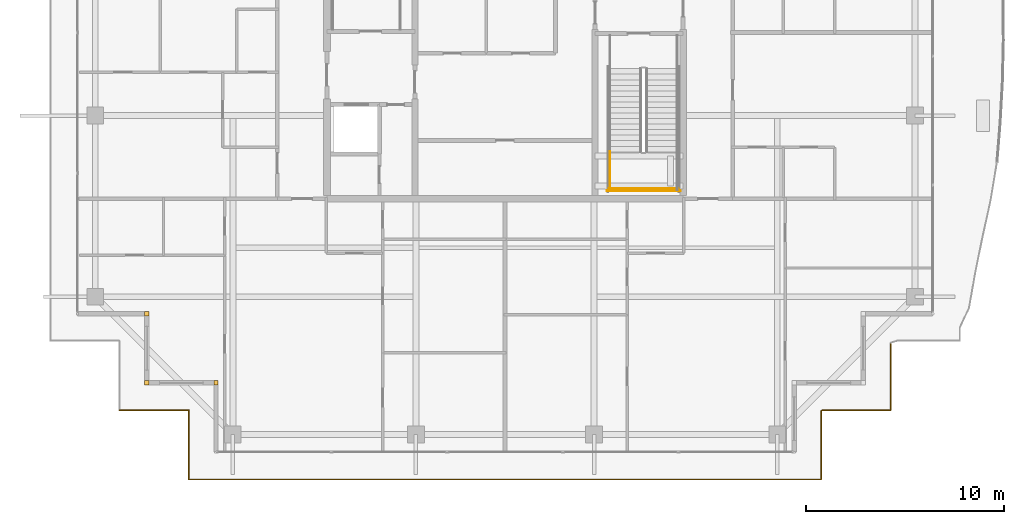
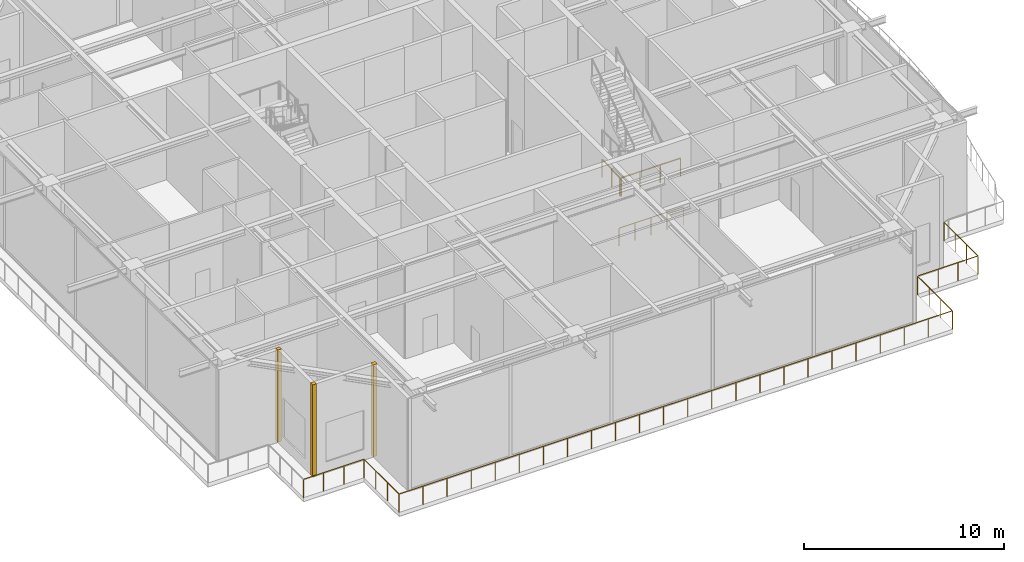
# One storey, part 34 of 40: 4 railings, 3 coverings.
"""IFC4 building model written with IfcOpenShell, lengths in metres."""

import ifcopenshell
import ifcopenshell.guid

model = None  # the IFC model being written
_history = None  # IfcOwnerHistory: only IFC2X3 demands one
_inside = {}  # id of a spatial element -> (the spatial element, [elements in it])
_under = {}  # id of a project, library or spatial element -> (it, [spatial elements below it])
_declared = {}  # id of a project -> (the project, [libraries it declares])
_typed = {}  # id of a type object -> (the type object, [elements of that type])
_made_of = {}  # id of a material, layer set ... -> (it, [elements and type objects made of it])


def new_model(schema):
    """Start an empty IFC model of exactly this schema.

    Asked for "IFC4X3", IfcOpenShell would pick the latest addendum, in which some entities
    have other attributes; the version numbers below select the first issue.
    IFC2X3 requires an IfcOwnerHistory on every rooted entity: one is made here for all.
    """
    global model, _history
    if schema == "IFC4X3":
        model = ifcopenshell.file(schema_version=(4, 3, 0, 0))
    else:
        model = ifcopenshell.file(schema=schema)
    _inside.clear()
    _under.clear()
    _declared.clear()
    _typed.clear()
    _made_of.clear()
    _history = None
    if model.schema == "IFC2X3":
        org = make("IfcOrganization", Name="unknown")
        user = make(
            "IfcPersonAndOrganization",
            ThePerson=make("IfcPerson", FamilyName="unknown"),
            TheOrganization=org,
        )
        app = make(
            "IfcApplication",
            ApplicationDeveloper=org,
            Version="unknown",
            ApplicationFullName="unknown",
            ApplicationIdentifier="unknown",
        )
        _history = make(
            "IfcOwnerHistory",
            OwningUser=user,
            OwningApplication=app,
            ChangeAction="ADDED",
            CreationDate=0,
        )
    return model


def make(cls, **values):
    """One entity of the class cls with the attributes given. An attribute that is None is left unset."""
    return model.create_entity(
        cls, **{name: value for name, value in values.items() if value is not None}
    )


def rooted(cls, **values):
    """An entity with a GlobalId (a new one), such as an element, a storey or a relation."""
    return make(cls, GlobalId=ifcopenshell.guid.new(), OwnerHistory=_history, **values)


def si_unit(unit_type, name, prefix=None):
    """IfcSIUnit, for example si_unit("LENGTHUNIT", "METRE", prefix="MILLI")."""
    return make("IfcSIUnit", UnitType=unit_type, Prefix=prefix, Name=name)


def assignment(units):
    """IfcUnitAssignment: the units of a project."""
    return None if units is None else make("IfcUnitAssignment", Units=units)


def point(xyz):
    """IfcCartesianPoint."""
    return None if xyz is None else make("IfcCartesianPoint", Coordinates=xyz)


def direction(xyz):
    """IfcDirection."""
    return None if xyz is None else make("IfcDirection", DirectionRatios=xyz)


def frame(location, z_axis=None, x_axis=None):
    """IfcAxis2Placement3D, a coordinate frame: its origin and axes. An axis left out is left unset."""
    return make(
        "IfcAxis2Placement3D",
        Location=point(location),
        Axis=direction(z_axis),
        RefDirection=direction(x_axis),
    )


def frame_2d(location, x_axis=None):
    """IfcAxis2Placement2D, a coordinate frame in the plane: its origin and x axis."""
    return make(
        "IfcAxis2Placement2D", Location=point(location), RefDirection=direction(x_axis)
    )


def origin():
    """The frame at (0, 0, 0) with its axes left unset."""
    return frame((0.0, 0.0, 0.0))


def origin_2d():
    """The frame at (0, 0) in the plane with its x axis left unset."""
    return frame_2d((0.0, 0.0))


def place(relative_to, where):
    """IfcLocalPlacement: puts the frame where relative to a parent placement (None: the world)."""
    return make(
        "IfcLocalPlacement", PlacementRelTo=relative_to, RelativePlacement=where
    )


def context(
    kind, dimensions, precision=None, world=None, true_north=None, identifier=None
):
    """IfcGeometricRepresentationContext, for example the 3D "Model" context."""
    return make(
        "IfcGeometricRepresentationContext",
        ContextIdentifier=identifier,
        ContextType=kind,
        CoordinateSpaceDimension=dimensions,
        Precision=precision,
        WorldCoordinateSystem=world,
        TrueNorth=true_north,
    )


def subcontext(parent, identifier, kind, view, scale=None):
    """IfcGeometricRepresentationSubContext, for example "Body" below "Model"."""
    return make(
        "IfcGeometricRepresentationSubContext",
        ContextIdentifier=identifier,
        ContextType=kind,
        ParentContext=parent,
        TargetScale=scale,
        TargetView=view,
    )


def project(units=None, contexts=None):
    """IfcProject with its units and contexts."""
    return rooted(
        "IfcProject",
        Name="project",
        RepresentationContexts=contexts,
        UnitsInContext=assignment(units),
    )


def spatial(cls, under=None, at=None, **own):
    """A site, building, storey or space (cls), placed at a placement, below another one or the project."""
    s = rooted(cls, ObjectPlacement=at, **own)
    if under is not None:
        _under.setdefault(under.id(), (under, []))[1].append(s)
    return s


def profile(cls, at=None, kind="AREA", **sizes):
    """A parametric profile (cls). Its sizes go by their IFC names, for example OverallWidth=200.0."""
    return make(cls, ProfileType=kind, Position=at, **sizes)


def rectangle(**sizes):
    """IfcRectangleProfileDef."""
    return profile("IfcRectangleProfileDef", **sizes)


def circle(**sizes):
    """IfcCircleProfileDef."""
    return profile("IfcCircleProfileDef", **sizes)


def extrude(swept, where, along, depth):
    """IfcExtrudedAreaSolid: the profile swept, set in the frame where, extruded along a direction by depth."""
    return make(
        "IfcExtrudedAreaSolid",
        SweptArea=swept,
        Position=where,
        ExtrudedDirection=direction(along),
        Depth=depth,
    )


def shape(context_of_items, identifier, shape_type, items):
    """IfcShapeRepresentation: the items that make up one representation, for example the "Body"."""
    return make(
        "IfcShapeRepresentation",
        ContextOfItems=context_of_items,
        RepresentationIdentifier=identifier,
        RepresentationType=shape_type,
        Items=items,
    )


def source(mapping_origin, context_of_items, identifier, shape_type, items):
    """IfcRepresentationMap: a shape defined once, which mapped items show again and again."""
    return make(
        "IfcRepresentationMap",
        MappingOrigin=mapping_origin,
        MappedRepresentation=shape(context_of_items, identifier, shape_type, items),
    )


def transform(
    local_origin,
    x_axis=None,
    y_axis=None,
    z_axis=None,
    scale=None,
    scale2=None,
    scale3=None,
    uniform=True,
):
    """IfcCartesianTransformationOperator3D, or its non-uniform kind. x_axis, y_axis, z_axis: its Axis1, 2, 3."""
    if uniform:
        return make(
            "IfcCartesianTransformationOperator3D",
            Axis1=direction(x_axis),
            Axis2=direction(y_axis),
            LocalOrigin=point(local_origin),
            Scale=scale,
            Axis3=direction(z_axis),
        )
    return make(
        "IfcCartesianTransformationOperator3DnonUniform",
        Axis1=direction(x_axis),
        Axis2=direction(y_axis),
        LocalOrigin=point(local_origin),
        Scale=scale,
        Axis3=direction(z_axis),
        Scale2=scale2,
        Scale3=scale3,
    )


def mapped(mapping_source, mapping_target):
    """IfcMappedItem: shows the shape of a source again, moved by a transform."""
    return make(
        "IfcMappedItem", MappingSource=mapping_source, MappingTarget=mapping_target
    )


def material(Name=None, Category=None):
    """IfcMaterial."""
    return make("IfcMaterial", Name=Name, Category=Category)


def layer(
    of_material, thickness, ventilated=None, Name=None, Category=None, Priority=None
):
    """IfcMaterialLayer: one layer of a wall or slab, of a material (None: an air gap)."""
    return make(
        "IfcMaterialLayer",
        Material=of_material,
        LayerThickness=thickness,
        IsVentilated=ventilated,
        Name=Name,
        Category=Category,
        Priority=Priority,
    )


def layer_set(layers, Name=None):
    """IfcMaterialLayerSet."""
    return make("IfcMaterialLayerSet", MaterialLayers=layers, LayerSetName=Name)


def made_of(thing, what):
    """Note that an element or type object is made of a material, layer set ...; save() writes the relation."""
    if what is not None:
        _made_of.setdefault(what.id(), (what, []))[1].append(thing)
    return thing


def type_object(cls, material=None, **own):
    """A type object (cls), such as IfcWallType, which elements share."""
    return made_of(rooted(cls, **own), material)


def element(
    cls,
    number,
    at=None,
    inside=None,
    cuts=None,
    type_object=None,
    material=None,
    context=None,
    identifier="Body",
    shape_type=None,
    held_by="IfcProductDefinitionShape",
    body=None,
    shapes=None,
    **own,
):
    """One element of the class cls, such as IfcWall. Its Tag is "e" and its number.

    at: its placement. inside: the storey or other place that contains it. cuts: it is an
    opening in that element (IfcRelVoidsElement). A single representation is given by context,
    identifier, shape_type and body (its items); several are given by shapes. held_by: the class
    of the entity that holds the representations. save() writes the other relations.
    """
    e = rooted(cls, Tag="e%d" % number, ObjectPlacement=at, **own)
    if body is not None:
        shapes = [shape(context, identifier, shape_type, body)]
    if shapes is not None:
        e.Representation = make(held_by, Representations=shapes)
    if inside is not None:
        _inside.setdefault(inside.id(), (inside, []))[1].append(e)
    if cuts is not None:
        rooted(
            "IfcRelVoidsElement", RelatingBuildingElement=cuts, RelatedOpeningElement=e
        )
    if type_object is not None:
        _typed.setdefault(type_object.id(), (type_object, []))[1].append(e)
    return made_of(e, material)


def aggregate(whole, parts):
    """IfcRelAggregates: a whole, such as a stair, and the parts it consists of."""
    return rooted("IfcRelAggregates", RelatingObject=whole, RelatedObjects=parts)


def save(model, path):
    """Write the relations noted so far, then the file.

    IfcRelAggregates (storeys below a building ...), IfcRelContainedInSpatialStructure (elements
    in a storey), IfcRelDefinesByType, IfcRelAssociatesMaterial and IfcRelDeclares: one each for
    every whole, place, type object, material and project.
    """
    for whole, parts in _under.values():
        aggregate(whole, parts)
    for where, things in _inside.values():
        rooted(
            "IfcRelContainedInSpatialStructure",
            RelatedElements=things,
            RelatingStructure=where,
        )
    for kind, things in _typed.values():
        rooted("IfcRelDefinesByType", RelatedObjects=things, RelatingType=kind)
    for what, things in _made_of.values():
        rooted("IfcRelAssociatesMaterial", RelatedObjects=things, RelatingMaterial=what)
    for by, libraries in _declared.values():
        rooted("IfcRelDeclares", RelatingContext=by, RelatedDefinitions=libraries)
    model.write(path)


model = new_model("IFC4")

# Units and contexts
model_context = context("Model", 3, precision=1e-05, world=origin(), true_north=direction((0.0, 1.0)))
body_context = subcontext(model_context, "Body", "Model", "MODEL_VIEW")
ifc_project = project(units=[si_unit("LENGTHUNIT", "METRE"), si_unit("AREAUNIT", "SQUARE_METRE"), si_unit("VOLUMEUNIT", "CUBIC_METRE"), si_unit("PLANEANGLEUNIT", "RADIAN"), si_unit("MASSUNIT", "GRAM", prefix="KILO")], contexts=[model_context])

# Site, building, storey
site_placement = place(None, origin())
site = spatial("IfcSite", under=ifc_project, at=site_placement, CompositionType="ELEMENT")
building_placement = place(site_placement, origin())
building = spatial("IfcBuilding", under=site, at=building_placement, Name="Serunith Strait Residences", CompositionType="ELEMENT")
storey_placement = place(building_placement, frame((0.0, 0.0, 347.949951171875)))
storey = spatial("IfcBuildingStorey", under=building, at=storey_placement, Name="L86", CompositionType="ELEMENT", Elevation=347.949951171875)

# Railings
ifc_material_1 = material(Name="Stainless Steel & Laminated Glass Balustrade", Category="steel")
railing_type_1 = type_object("IfcRailingType", Name="RLG-BALC-1150", PredefinedType="BALUSTRADE", material=ifc_material_1)
railing_1_placement = place(storey_placement, frame((51.8798828125, 9.521484375, -0.050048828125)))
element("IfcRailing", 1, at=railing_1_placement, inside=storey, type_object=railing_type_1, Name="L86 Swirling Balcony Perimeter Balustrade 7", PredefinedType="BALUSTRADE", context=body_context, shape_type="SweptSolid", body=[
    extrude(circle(Radius=0.02392578125, at=origin_2d()), frame((0.0, -0.001953125, 1.1259765625), z_axis=(0.0, -1.0, 0.0), x_axis=(1.0, 0.0, 0.0)), (0.0, 0.0, 1.0), 3.3974609375),
    extrude(circle(Radius=0.02392578125, at=origin_2d()), frame((-0.001953125, -3.4013671875, 1.1259765625), z_axis=(-1.0, 0.0, 0.0), x_axis=(0.0, -1.0, 0.0)), (0.0, 0.0, 1.0), 3.44384765625),
    extrude(circle(Radius=0.02392578125, at=origin_2d()), frame((-3.5, -3.4306640625, 1.1259765625), z_axis=(0.0, -1.0, 0.0), x_axis=(1.0, 0.0, 0.0)), (0.0, 0.0, 1.0), 3.46875),
    extrude(circle(Radius=0.02392578125, at=origin_2d()), frame((-3.501953125, -6.9013671875, 1.1259765625), z_axis=(-1.0, 0.0, 0.0), x_axis=(0.0, -1.0, 0.0)), (0.0, 0.0, 1.0), 31.9560546875),
    extrude(circle(Radius=0.02392578125, at=origin_2d()), frame((-35.4599609375, -6.8994140625, 1.1259765625), z_axis=(0.0, 1.0, 0.0), x_axis=(-1.0, 0.0, 0.0)), (0.0, 0.0, 1.0), 3.49609375),
    extrude(circle(Radius=0.02392578125, at=origin_2d()), frame((-35.4619140625, -3.4013671875, 1.1259765625), z_axis=(-1.0, 0.0, 0.0), x_axis=(0.0, -1.0, 0.0)), (0.0, 0.0, 1.0), 3.49609375),
    extrude(circle(Radius=0.02099609375, at=origin_2d()), origin(), (0.0, 0.0, 1.0), 1.099853515625),
    extrude(circle(Radius=0.02099609375, at=origin_2d()), frame((0.0, -1.1337890625, 0.0)), (0.0, 0.0, 1.0), 1.099853515625),
    extrude(circle(Radius=0.02099609375, at=origin_2d()), frame((0.0, -2.267578125, 0.0)), (0.0, 0.0, 1.0), 1.099853515625),
    extrude(circle(Radius=0.02099609375, at=origin_2d()), frame((0.0, -3.4013671875, 0.0)), (0.0, 0.0, 1.0), 1.099853515625),
    extrude(circle(Radius=0.02099609375, at=origin_2d()), frame((-1.149169921875, -3.4013671875, 0.0)), (0.0, 0.0, 1.0), 1.099853515625),
    extrude(circle(Radius=0.02099609375, at=origin_2d()), frame((-2.298583984375, -3.4013671875, 0.0)), (0.0, 0.0, 1.0), 1.099853515625),
    extrude(circle(Radius=0.02099609375, at=origin_2d()), frame((-3.5, -3.4287109375, 0.0)), (0.0, 0.0, 1.0), 1.099853515625),
    extrude(circle(Radius=0.02099609375, at=origin_2d()), frame((-3.5, -4.586181640625, 0.0)), (0.0, 0.0, 1.0), 1.099853515625),
    extrude(circle(Radius=0.02099609375, at=origin_2d()), frame((-3.5, -5.743896484375, 0.0)), (0.0, 0.0, 1.0), 1.099853515625),
    extrude(circle(Radius=0.02099609375, at=origin_2d()), frame((-3.5, -6.9013671875, 0.0)), (0.0, 0.0, 1.0), 1.099853515625),
    extrude(circle(Radius=0.02099609375, at=origin_2d()), frame((-4.8896484375, -6.9013671875, 0.0)), (0.0, 0.0, 1.0), 1.099853515625),
    extrude(circle(Radius=0.02099609375, at=origin_2d()), frame((-6.279052734375, -6.9013671875, 0.0)), (0.0, 0.0, 1.0), 1.099853515625),
    extrude(circle(Radius=0.02099609375, at=origin_2d()), frame((-7.668701171875, -6.9013671875, 0.0)), (0.0, 0.0, 1.0), 1.099853515625),
    extrude(circle(Radius=0.02099609375, at=origin_2d()), frame((-9.058349609375, -6.9013671875, 0.0)), (0.0, 0.0, 1.0), 1.099853515625),
    extrude(circle(Radius=0.02099609375, at=origin_2d()), frame((-10.44775390625, -6.9013671875, 0.0)), (0.0, 0.0, 1.0), 1.099853515625),
    extrude(circle(Radius=0.02099609375, at=origin_2d()), frame((-11.83740234375, -6.9013671875, 0.0)), (0.0, 0.0, 1.0), 1.099853515625),
    extrude(circle(Radius=0.02099609375, at=origin_2d()), frame((-13.22705078125, -6.9013671875, 0.0)), (0.0, 0.0, 1.0), 1.099853515625),
    extrude(circle(Radius=0.02099609375, at=origin_2d()), frame((-14.616455078125, -6.9013671875, 0.0)), (0.0, 0.0, 1.0), 1.099853515625),
    extrude(circle(Radius=0.02099609375, at=origin_2d()), frame((-16.006103515625, -6.9013671875, 0.0)), (0.0, 0.0, 1.0), 1.099853515625),
    extrude(circle(Radius=0.02099609375, at=origin_2d()), frame((-17.395751953125, -6.9013671875, 0.0)), (0.0, 0.0, 1.0), 1.099853515625),
    extrude(circle(Radius=0.02099609375, at=origin_2d()), frame((-18.78515625, -6.9013671875, 0.0)), (0.0, 0.0, 1.0), 1.099853515625),
    extrude(circle(Radius=0.02099609375, at=origin_2d()), frame((-20.1748046875, -6.9013671875, 0.0)), (0.0, 0.0, 1.0), 1.099853515625),
    extrude(circle(Radius=0.02099609375, at=origin_2d()), frame((-21.564208984375, -6.9013671875, 0.0)), (0.0, 0.0, 1.0), 1.099853515625),
    extrude(circle(Radius=0.02099609375, at=origin_2d()), frame((-22.953857421875, -6.9013671875, 0.0)), (0.0, 0.0, 1.0), 1.099853515625),
    extrude(circle(Radius=0.02099609375, at=origin_2d()), frame((-24.343505859375, -6.9013671875, 0.0)), (0.0, 0.0, 1.0), 1.099853515625),
    extrude(circle(Radius=0.02099609375, at=origin_2d()), frame((-25.73291015625, -6.9013671875, 0.0)), (0.0, 0.0, 1.0), 1.099853515625),
    extrude(circle(Radius=0.02099609375, at=origin_2d()), frame((-27.12255859375, -6.9013671875, 0.0)), (0.0, 0.0, 1.0), 1.099853515625),
    extrude(circle(Radius=0.02099609375, at=origin_2d()), frame((-28.51220703125, -6.9013671875, 0.0)), (0.0, 0.0, 1.0), 1.099853515625),
    extrude(circle(Radius=0.02099609375, at=origin_2d()), frame((-29.901611328125, -6.9013671875, 0.0)), (0.0, 0.0, 1.0), 1.099853515625),
    extrude(circle(Radius=0.02099609375, at=origin_2d()), frame((-31.291259765625, -6.9013671875, 0.0)), (0.0, 0.0, 1.0), 1.099853515625),
    extrude(circle(Radius=0.02099609375, at=origin_2d()), frame((-32.680908203125, -6.9013671875, 0.0)), (0.0, 0.0, 1.0), 1.099853515625),
    extrude(circle(Radius=0.02099609375, at=origin_2d()), frame((-34.0703125, -6.9013671875, 0.0)), (0.0, 0.0, 1.0), 1.099853515625),
    extrude(circle(Radius=0.02099609375, at=origin_2d()), frame((-35.4599609375, -6.9013671875, 0.0)), (0.0, 0.0, 1.0), 1.099853515625),
    extrude(circle(Radius=0.02099609375, at=origin_2d()), frame((-35.4599609375, -5.734619140625, 0.0)), (0.0, 0.0, 1.0), 1.099853515625),
    extrude(circle(Radius=0.02099609375, at=origin_2d()), frame((-35.4599609375, -4.568115234375, 0.0)), (0.0, 0.0, 1.0), 1.099853515625),
    extrude(circle(Radius=0.02099609375, at=origin_2d()), frame((-35.4599609375, -3.4013671875, 0.0)), (0.0, 0.0, 1.0), 1.099853515625),
    extrude(circle(Radius=0.02099609375, at=origin_2d()), frame((-36.626708984375, -3.4013671875, 0.0)), (0.0, 0.0, 1.0), 1.099853515625),
    extrude(circle(Radius=0.02099609375, at=origin_2d()), frame((-37.793212890625, -3.4013671875, 0.0)), (0.0, 0.0, 1.0), 1.099853515625),
    extrude(circle(Radius=0.02099609375, at=origin_2d()), frame((-38.9599609375, -3.4013671875, 0.0)), (0.0, 0.0, 1.0), 1.099853515625),
])
ifc_material_2 = material(Name="Brushed stainless steel 316L", Category="steel")
railing_type_2 = type_object("IfcRailingType", Name="RLG-STAIR-GUARD", PredefinedType="BALUSTRADE", material=ifc_material_2)
railing_2_placement = place(storey_placement, frame((37.699951171875, 19.169921875, 2.949951171875)))
element("IfcRailing", 2, at=railing_2_placement, inside=storey, type_object=railing_type_2, Name="L86 ST-2 stair guard 3", PredefinedType="BALUSTRADE", context=body_context, shape_type="SweptSolid", body=[
    extrude(circle(Radius=0.02392578125, at=origin_2d()), frame((0.0, -0.001953125, 1.076171875), z_axis=(0.0, -1.0, 0.0), x_axis=(1.0, 0.0, 0.0)), (0.0, 0.0, 1.0), 1.916015625),
    extrude(circle(Radius=0.02099609375, at=origin_2d()), origin(), (0.0, 0.0, 1.0), 1.050048828125),
    extrude(circle(Radius=0.02099609375, at=origin_2d()), frame((0.0, -0.9599609375, 0.0)), (0.0, 0.0, 1.0), 1.050048828125),
    extrude(circle(Radius=0.02099609375, at=origin_2d()), frame((0.0, -1.919921875, 0.0)), (0.0, 0.0, 1.0), 1.050048828125),
])
railing_3_placement = place(storey_placement, frame((37.64990234375, 17.300048828125, 2.949951171875)))
element("IfcRailing", 3, at=railing_3_placement, inside=storey, type_object=railing_type_2, Name="L86 ST-2 stair guard 5", PredefinedType="BALUSTRADE", context=body_context, shape_type="SweptSolid", body=[
    extrude(circle(Radius=0.02392578125, at=origin_2d()), frame((0.001953125, 0.0, 1.076171875), z_axis=(1.0, 0.0, 0.0), x_axis=(0.0, 1.0, 0.0)), (0.0, 0.0, 1.0), 3.49609375),
    extrude(circle(Radius=0.02099609375, at=origin_2d()), origin(), (0.0, 0.0, 1.0), 1.050048828125),
    extrude(circle(Radius=0.02099609375, at=origin_2d()), frame((1.166748046875, 0.0, 0.0)), (0.0, 0.0, 1.0), 1.050048828125),
    extrude(circle(Radius=0.02099609375, at=origin_2d()), frame((2.333251953125, 0.0, 0.0)), (0.0, 0.0, 1.0), 1.050048828125),
    extrude(circle(Radius=0.02099609375, at=origin_2d()), frame((3.5, 0.0, 0.0)), (0.0, 0.0, 1.0), 1.050048828125),
])
railing_4_placement = place(storey_placement, frame((37.550048828125, 17.199951171875, 0.0)))
element("IfcRailing", 4, at=railing_4_placement, inside=storey, type_object=railing_type_2, Name="L86 ST-2 stair guard 12", PredefinedType="BALUSTRADE", context=body_context, shape_type="SweptSolid", body=[
    extrude(circle(Radius=0.02392578125, at=origin_2d()), frame((0.001953125, 0.0, 1.076171875), z_axis=(1.0, 0.0, 0.0), x_axis=(0.0, 1.0, 0.0)), (0.0, 0.0, 1.0), 3.696044921875),
    extrude(circle(Radius=0.02099609375, at=origin_2d()), origin(), (0.0, 0.0, 1.0), 1.050048828125),
    extrude(circle(Radius=0.02099609375, at=origin_2d()), frame((0.925048828125, 0.0, 0.0)), (0.0, 0.0, 1.0), 1.050048828125),
    extrude(circle(Radius=0.02099609375, at=origin_2d()), frame((1.85009765625, 0.0, 0.0)), (0.0, 0.0, 1.0), 1.050048828125),
    extrude(circle(Radius=0.02099609375, at=origin_2d()), frame((2.77490234375, 0.0, 0.0)), (0.0, 0.0, 1.0), 1.050048828125),
    extrude(circle(Radius=0.02099609375, at=origin_2d()), frame((3.699951171875, 0.0, 0.0)), (0.0, 0.0, 1.0), 1.050048828125),
])

# Coverings
ifc_material_3 = material(Name="Pale-Champagne Anodised Aluminium", Category="aluminium")
ifc_layer = layer(ifc_material_3, 0.219970703125, Name="Pale-Champagne Anodised Aluminium")
ifc_layer_set = layer_set([ifc_layer], Name="Pale-Champagne Anodised Aluminium")
covering_type = type_object("IfcCoveringType", Name="COV-CORN-TRIM", PredefinedType="CLADDING", material=ifc_layer_set)
shared_shape = source(origin(), body_context, "Body", "SweptSolid", [
    extrude(rectangle(XDim=0.221923828125, YDim=0.221923828125, at=origin_2d()), origin(), (0.0, 0.0, 1.0), 5.625),
])
for number, where, z_axis, x_axis, name in (
    (5, (14.300048828125, 11.0, 0.0), (0.0, 0.0, 1.0), (1.0, 0.0, 0.0), "L86 Girih Serrated Corner Trim Post 17"),
    (6, (14.300048828125, 7.5, 0.0), (0.0, 0.0, 1.0), (1.0, 0.0, 0.0), "L86 Girih Serrated Corner Trim Post 18"),
    (7, (17.800048828125, 7.5, 0.0), (0.0, 0.0, 1.0), (1.0, 0.0, 0.0), "L86 Girih Serrated Corner Trim Post 19"),
):
    element("IfcCovering", number, at=place(storey_placement, frame(where, z_axis=z_axis, x_axis=x_axis)), inside=storey, type_object=covering_type, Name=name, PredefinedType="CLADDING", context=body_context, shape_type="MappedRepresentation", body=[
        mapped(shared_shape, transform((0.0, 0.0, 0.0), scale=1.0)),
    ])

save(model, "model.ifc")
